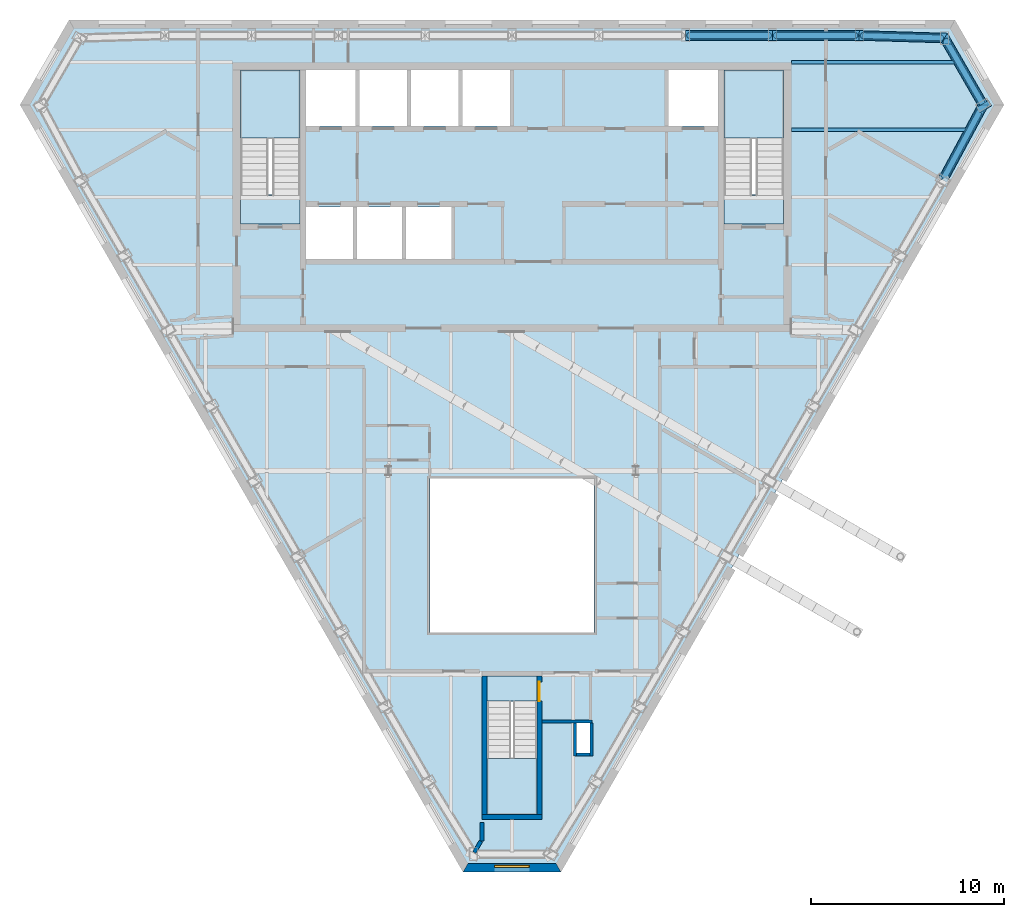
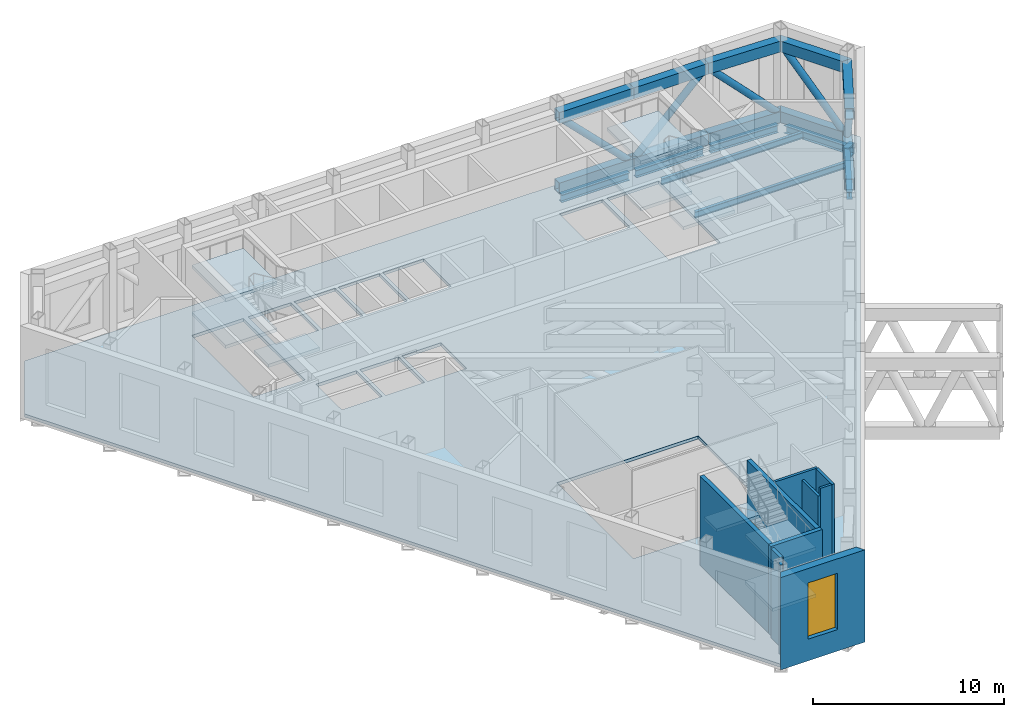
# One storey, part 6 of 14: 15 members, 10 slabs, 10 walls, 8 beams, 1 door, 1 shading device, 2 openings, 3 elements without a shape of their own.
"""IFC4 building model written with IfcOpenShell, lengths in metres."""

import ifcopenshell
import ifcopenshell.guid

model = None  # the IFC model being written
_history = None  # IfcOwnerHistory: only IFC2X3 demands one
_inside = {}  # id of a spatial element -> (the spatial element, [elements in it])
_under = {}  # id of a project, library or spatial element -> (it, [spatial elements below it])
_declared = {}  # id of a project -> (the project, [libraries it declares])
_typed = {}  # id of a type object -> (the type object, [elements of that type])
_made_of = {}  # id of a material, layer set ... -> (it, [elements and type objects made of it])


def new_model(schema):
    """Start an empty IFC model of exactly this schema.

    Asked for "IFC4X3", IfcOpenShell would pick the latest addendum, in which some entities
    have other attributes; the version numbers below select the first issue.
    IFC2X3 requires an IfcOwnerHistory on every rooted entity: one is made here for all.
    """
    global model, _history
    if schema == "IFC4X3":
        model = ifcopenshell.file(schema_version=(4, 3, 0, 0))
    else:
        model = ifcopenshell.file(schema=schema)
    _inside.clear()
    _under.clear()
    _declared.clear()
    _typed.clear()
    _made_of.clear()
    _history = None
    if model.schema == "IFC2X3":
        org = make("IfcOrganization", Name="unknown")
        user = make(
            "IfcPersonAndOrganization",
            ThePerson=make("IfcPerson", FamilyName="unknown"),
            TheOrganization=org,
        )
        app = make(
            "IfcApplication",
            ApplicationDeveloper=org,
            Version="unknown",
            ApplicationFullName="unknown",
            ApplicationIdentifier="unknown",
        )
        _history = make(
            "IfcOwnerHistory",
            OwningUser=user,
            OwningApplication=app,
            ChangeAction="ADDED",
            CreationDate=0,
        )
    return model


def make(cls, **values):
    """One entity of the class cls with the attributes given. An attribute that is None is left unset."""
    return model.create_entity(
        cls, **{name: value for name, value in values.items() if value is not None}
    )


def rooted(cls, **values):
    """An entity with a GlobalId (a new one), such as an element, a storey or a relation."""
    return make(cls, GlobalId=ifcopenshell.guid.new(), OwnerHistory=_history, **values)


def si_unit(unit_type, name, prefix=None):
    """IfcSIUnit, for example si_unit("LENGTHUNIT", "METRE", prefix="MILLI")."""
    return make("IfcSIUnit", UnitType=unit_type, Prefix=prefix, Name=name)


def assignment(units):
    """IfcUnitAssignment: the units of a project."""
    return None if units is None else make("IfcUnitAssignment", Units=units)


def point(xyz):
    """IfcCartesianPoint."""
    return None if xyz is None else make("IfcCartesianPoint", Coordinates=xyz)


def direction(xyz):
    """IfcDirection."""
    return None if xyz is None else make("IfcDirection", DirectionRatios=xyz)


def frame(location, z_axis=None, x_axis=None):
    """IfcAxis2Placement3D, a coordinate frame: its origin and axes. An axis left out is left unset."""
    return make(
        "IfcAxis2Placement3D",
        Location=point(location),
        Axis=direction(z_axis),
        RefDirection=direction(x_axis),
    )


def frame_2d(location, x_axis=None):
    """IfcAxis2Placement2D, a coordinate frame in the plane: its origin and x axis."""
    return make(
        "IfcAxis2Placement2D", Location=point(location), RefDirection=direction(x_axis)
    )


def origin():
    """The frame at (0, 0, 0) with its axes left unset."""
    return frame((0.0, 0.0, 0.0))


def origin_2d():
    """The frame at (0, 0) in the plane with its x axis left unset."""
    return frame_2d((0.0, 0.0))


def place(relative_to, where):
    """IfcLocalPlacement: puts the frame where relative to a parent placement (None: the world)."""
    return make(
        "IfcLocalPlacement", PlacementRelTo=relative_to, RelativePlacement=where
    )


def context(
    kind, dimensions, precision=None, world=None, true_north=None, identifier=None
):
    """IfcGeometricRepresentationContext, for example the 3D "Model" context."""
    return make(
        "IfcGeometricRepresentationContext",
        ContextIdentifier=identifier,
        ContextType=kind,
        CoordinateSpaceDimension=dimensions,
        Precision=precision,
        WorldCoordinateSystem=world,
        TrueNorth=true_north,
    )


def subcontext(parent, identifier, kind, view, scale=None):
    """IfcGeometricRepresentationSubContext, for example "Body" below "Model"."""
    return make(
        "IfcGeometricRepresentationSubContext",
        ContextIdentifier=identifier,
        ContextType=kind,
        ParentContext=parent,
        TargetScale=scale,
        TargetView=view,
    )


def project(units=None, contexts=None):
    """IfcProject with its units and contexts."""
    return rooted(
        "IfcProject",
        Name="project",
        RepresentationContexts=contexts,
        UnitsInContext=assignment(units),
    )


def spatial(cls, under=None, at=None, **own):
    """A site, building, storey or space (cls), placed at a placement, below another one or the project."""
    s = rooted(cls, ObjectPlacement=at, **own)
    if under is not None:
        _under.setdefault(under.id(), (under, []))[1].append(s)
    return s


def polyline(points):
    """IfcPolyline through the points."""
    return make("IfcPolyline", Points=[point(p) for p in points])


def profile(cls, at=None, kind="AREA", **sizes):
    """A parametric profile (cls). Its sizes go by their IFC names, for example OverallWidth=200.0."""
    return make(cls, ProfileType=kind, Position=at, **sizes)


def rectangle(**sizes):
    """IfcRectangleProfileDef."""
    return profile("IfcRectangleProfileDef", **sizes)


def hollow_rectangle(**sizes):
    """IfcRectangleHollowProfileDef."""
    return profile("IfcRectangleHollowProfileDef", **sizes)


def hollow_circle(**sizes):
    """IfcCircleHollowProfileDef."""
    return profile("IfcCircleHollowProfileDef", **sizes)


def i_section(**sizes):
    """IfcIShapeProfileDef."""
    return profile("IfcIShapeProfileDef", **sizes)


def outline(outer, holes=None, kind="AREA"):
    """IfcArbitraryClosedProfileDef: a profile drawn as a closed curve; with holes, ...WithVoids."""
    if holes is None:
        return make("IfcArbitraryClosedProfileDef", ProfileType=kind, OuterCurve=outer)
    return make(
        "IfcArbitraryProfileDefWithVoids",
        ProfileType=kind,
        OuterCurve=outer,
        InnerCurves=holes,
    )


def extrude(swept, where, along, depth):
    """IfcExtrudedAreaSolid: the profile swept, set in the frame where, extruded along a direction by depth."""
    return make(
        "IfcExtrudedAreaSolid",
        SweptArea=swept,
        Position=where,
        ExtrudedDirection=direction(along),
        Depth=depth,
    )


def clip(a, b, op="DIFFERENCE"):
    """IfcBooleanClippingResult: the solid a cut by the half space b."""
    return make(
        "IfcBooleanClippingResult", Operator=op, FirstOperand=a, SecondOperand=b
    )


def halfspace(plane, agree):
    """IfcHalfSpaceSolid: all space on one side of the plane z = 0 of the frame plane."""
    return make(
        "IfcHalfSpaceSolid",
        BaseSurface=make("IfcPlane", Position=plane),
        AgreementFlag=agree,
    )


def shape(context_of_items, identifier, shape_type, items):
    """IfcShapeRepresentation: the items that make up one representation, for example the "Body"."""
    return make(
        "IfcShapeRepresentation",
        ContextOfItems=context_of_items,
        RepresentationIdentifier=identifier,
        RepresentationType=shape_type,
        Items=items,
    )


def material(Name=None, Category=None):
    """IfcMaterial."""
    return make("IfcMaterial", Name=Name, Category=Category)


def layer(
    of_material, thickness, ventilated=None, Name=None, Category=None, Priority=None
):
    """IfcMaterialLayer: one layer of a wall or slab, of a material (None: an air gap)."""
    return make(
        "IfcMaterialLayer",
        Material=of_material,
        LayerThickness=thickness,
        IsVentilated=ventilated,
        Name=Name,
        Category=Category,
        Priority=Priority,
    )


def layer_set(layers, Name=None):
    """IfcMaterialLayerSet."""
    return make("IfcMaterialLayerSet", MaterialLayers=layers, LayerSetName=Name)


def material_profile(
    of_material, cross_section, Name=None, Category=None, Priority=None
):
    """IfcMaterialProfile: a cross section and its material."""
    return make(
        "IfcMaterialProfile",
        Name=Name,
        Material=of_material,
        Profile=cross_section,
        Priority=Priority,
        Category=Category,
    )


def profile_set(profiles, Name=None, composite=None):
    """IfcMaterialProfileSet."""
    return make(
        "IfcMaterialProfileSet",
        Name=Name,
        MaterialProfiles=profiles,
        CompositeProfile=composite,
    )


def made_of(thing, what):
    """Note that an element or type object is made of a material, layer set ...; save() writes the relation."""
    if what is not None:
        _made_of.setdefault(what.id(), (what, []))[1].append(thing)
    return thing


def type_object(cls, material=None, **own):
    """A type object (cls), such as IfcWallType, which elements share."""
    return made_of(rooted(cls, **own), material)


def element(
    cls,
    number,
    at=None,
    inside=None,
    cuts=None,
    type_object=None,
    material=None,
    context=None,
    identifier="Body",
    shape_type=None,
    held_by="IfcProductDefinitionShape",
    body=None,
    shapes=None,
    **own,
):
    """One element of the class cls, such as IfcWall. Its Tag is "e" and its number.

    at: its placement. inside: the storey or other place that contains it. cuts: it is an
    opening in that element (IfcRelVoidsElement). A single representation is given by context,
    identifier, shape_type and body (its items); several are given by shapes. held_by: the class
    of the entity that holds the representations. save() writes the other relations.
    """
    e = rooted(cls, Tag="e%d" % number, ObjectPlacement=at, **own)
    if body is not None:
        shapes = [shape(context, identifier, shape_type, body)]
    if shapes is not None:
        e.Representation = make(held_by, Representations=shapes)
    if inside is not None:
        _inside.setdefault(inside.id(), (inside, []))[1].append(e)
    if cuts is not None:
        rooted(
            "IfcRelVoidsElement", RelatingBuildingElement=cuts, RelatedOpeningElement=e
        )
    if type_object is not None:
        _typed.setdefault(type_object.id(), (type_object, []))[1].append(e)
    return made_of(e, material)


def fill(opening, filler):
    """IfcRelFillsElement: the door or window that sits in an opening."""
    return rooted(
        "IfcRelFillsElement",
        RelatingOpeningElement=opening,
        RelatedBuildingElement=filler,
    )


def aggregate(whole, parts):
    """IfcRelAggregates: a whole, such as a stair, and the parts it consists of."""
    return rooted("IfcRelAggregates", RelatingObject=whole, RelatedObjects=parts)


def save(model, path):
    """Write the relations noted so far, then the file.

    IfcRelAggregates (storeys below a building ...), IfcRelContainedInSpatialStructure (elements
    in a storey), IfcRelDefinesByType, IfcRelAssociatesMaterial and IfcRelDeclares: one each for
    every whole, place, type object, material and project.
    """
    for whole, parts in _under.values():
        aggregate(whole, parts)
    for where, things in _inside.values():
        rooted(
            "IfcRelContainedInSpatialStructure",
            RelatedElements=things,
            RelatingStructure=where,
        )
    for kind, things in _typed.values():
        rooted("IfcRelDefinesByType", RelatedObjects=things, RelatingType=kind)
    for what, things in _made_of.values():
        rooted("IfcRelAssociatesMaterial", RelatedObjects=things, RelatingMaterial=what)
    for by, libraries in _declared.values():
        rooted("IfcRelDeclares", RelatingContext=by, RelatedDefinitions=libraries)
    model.write(path)


model = new_model("IFC4")

# Units and contexts
model_context = context("Model", 3, precision=1e-05, world=origin(), true_north=direction((0.0, 1.0)))
body_context = subcontext(model_context, "Body", "Model", "MODEL_VIEW")
ifc_project = project(units=[si_unit("LENGTHUNIT", "METRE"), si_unit("AREAUNIT", "SQUARE_METRE"), si_unit("VOLUMEUNIT", "CUBIC_METRE"), si_unit("PLANEANGLEUNIT", "RADIAN"), si_unit("MASSUNIT", "GRAM", prefix="KILO")], contexts=[model_context])

# Site, building, storey
site_placement = place(None, origin())
site = spatial("IfcSite", under=ifc_project, at=site_placement, CompositionType="ELEMENT")
building_placement = place(site_placement, origin())
building = spatial("IfcBuilding", under=site, at=building_placement, Name="Njiva Tower", CompositionType="ELEMENT")
storey_placement = place(building_placement, frame((0.0, 0.0, 292.2)))
storey = spatial("IfcBuildingStorey", under=building, at=storey_placement, Name="L67", CompositionType="ELEMENT", Elevation=292.2)

# Beams
ifc_material_1 = material(Name="Steel S355 J2", Category="steel")
ifc_material_profile_1 = material_profile(ifc_material_1, hollow_rectangle(XDim=0.7, YDim=0.7, WallThickness=0.08, at=origin_2d()), Name="BOX 700x700x80")
ifc_profile_set_1 = profile_set([ifc_material_profile_1], Name="Steel S355 J2")
beam_type_1 = type_object("IfcBeamType", Name="B19 Column jog beam BOX 700x700x80", PredefinedType="BEAM", material=ifc_profile_set_1)
beam_1_placement = place(storey_placement, frame((24.599, 15.568, -0.55), z_axis=(-0.519059238985, 0.85473826779, 0.0), x_axis=(-0.85473826779, -0.519059238985, 0.0)))
element("IfcBeam", 1, at=beam_1_placement, inside=storey, type_object=beam_type_1, Name="Column jog beam T5-B036", PredefinedType="BEAM", context=body_context, shape_type="SweptSolid", body=[
    extrude(hollow_rectangle(XDim=0.7, YDim=0.7, WallThickness=0.08, at=origin_2d()), origin(), (0.0, 0.0, 1.0), 0.3217),
])
ifc_material_profile_2 = material_profile(ifc_material_1, i_section(OverallWidth=0.3, OverallDepth=0.49, WebThickness=0.012, FlangeThickness=0.023, at=origin_2d()), Name="HEA 500")
ifc_profile_set_2 = profile_set([ifc_material_profile_2], Name="Steel S355 J2")
beam_type_2 = type_object("IfcBeamType", Name="B48 Short-span spandrel beam HEA 500", PredefinedType="SPANDREL", material=ifc_profile_set_2)
beam_2_placement = place(storey_placement, frame((22.257, 19.273, -0.445), z_axis=(-0.999547991975, 0.030063461852, 0.0), x_axis=(-0.030063461852, -0.999547991975, 0.0)))
element("IfcBeam", 2, at=beam_2_placement, inside=storey, type_object=beam_type_2, Name="Short-span spandrel beam T5-B090", PredefinedType="SPANDREL", context=body_context, shape_type="SweptSolid", body=[
    extrude(i_section(OverallWidth=0.3, OverallDepth=0.49, WebThickness=0.012, FlangeThickness=0.023, at=origin_2d()), origin(), (0.0, 0.0, 1.0), 4.0248),
])
beam_3_placement = place(storey_placement, frame((17.83, 19.4, -0.445), z_axis=(-1.0, 0.0, 0.0), x_axis=(0.0, -1.0, 0.0)))
element("IfcBeam", 3, at=beam_3_placement, inside=storey, type_object=beam_type_2, Name="Short-span spandrel beam T5-B087", PredefinedType="SPANDREL", context=body_context, shape_type="SweptSolid", body=[
    extrude(i_section(OverallWidth=0.3, OverallDepth=0.49, WebThickness=0.012, FlangeThickness=0.023, at=origin_2d()), origin(), (0.0, 0.0, 1.0), 4.107),
])
beam_4_placement = place(storey_placement, frame((13.323, 19.4, -0.445), z_axis=(-1.0, 0.0, 0.0), x_axis=(0.0, -1.0, 0.0)))
element("IfcBeam", 4, at=beam_4_placement, inside=storey, type_object=beam_type_2, Name="Short-span spandrel beam T5-B084", PredefinedType="SPANDREL", context=body_context, shape_type="SweptSolid", body=[
    extrude(i_section(OverallWidth=0.3, OverallDepth=0.49, WebThickness=0.012, FlangeThickness=0.023, at=origin_2d()), origin(), (0.0, 0.0, 1.0), 4.108),
])
beam_5_placement = place(storey_placement, frame((22.413, 11.982, -0.445), z_axis=(0.473755074055, 0.880656646944, 0.0), x_axis=(-0.880656646944, 0.473755074055, 0.0)))
element("IfcBeam", 5, at=beam_5_placement, inside=storey, type_object=beam_type_2, Name="Short-span spandrel beam T5-B092", PredefinedType="SPANDREL", context=body_context, shape_type="Clipping", body=[
    clip(extrude(i_section(OverallWidth=0.3, OverallDepth=0.49, WebThickness=0.012, FlangeThickness=0.023, at=origin_2d()), origin(), (0.0, 0.0, 1.0), 4.0918), halfspace(frame((-0.0262, 0.0, 3.963), z_axis=(-0.525795446027, 0.0, 0.850611044448), x_axis=(0.0, 1.0, 0.0)), False)),
])
beam_6_placement = place(storey_placement, frame((24.463, 15.792, -0.445), z_axis=(-0.500186718796, 0.865917574796, 0.0), x_axis=(-0.865917574796, -0.500186718796, 0.0)))
element("IfcBeam", 6, at=beam_6_placement, inside=storey, type_object=beam_type_2, Name="Short-span spandrel beam T5-B093", PredefinedType="SPANDREL", context=body_context, shape_type="Clipping", body=[
    clip(extrude(i_section(OverallWidth=0.3, OverallDepth=0.49, WebThickness=0.012, FlangeThickness=0.023, at=origin_2d()), origin(), (0.0, 0.0, 1.0), 3.7736), halfspace(frame((-0.0254, 0.0, 3.652), z_axis=(-0.500186718796, 0.0, 0.865917574796), x_axis=(0.0, 1.0, 0.0)), False)),
])
ifc_material_profile_3 = material_profile(ifc_material_1, i_section(OverallWidth=0.18, OverallDepth=0.4, WebThickness=0.0086, FlangeThickness=0.0135, at=origin_2d()), Name="IPE 400")
ifc_profile_set_3 = profile_set([ifc_material_profile_3], Name="Steel S355 J2")
beam_type_3 = type_object("IfcBeamType", Name="B51 Floor beam to the core IPE 400", PredefinedType="BEAM", material=ifc_profile_set_3)
beam_7_placement = place(storey_placement, frame((14.5, 14.5, -0.4), z_axis=(1.0, 0.0, 0.0), x_axis=(0.0, 1.0, 0.0)))
element("IfcBeam", 7, at=beam_7_placement, inside=storey, type_object=beam_type_3, Name="Floor beam to the core T5-B007", PredefinedType="BEAM", context=body_context, shape_type="Clipping", body=[
    clip(extrude(i_section(OverallWidth=0.18, OverallDepth=0.4, WebThickness=0.0086, FlangeThickness=0.0135, at=origin_2d()), origin(), (0.0, 0.0, 1.0), 9.222), halfspace(frame((-0.0237, 0.0, 9.1412), z_axis=(-0.47376166762, 0.0, 0.88065309986), x_axis=(0.0, 1.0, 0.0)), False)),
])
beam_8_placement = place(storey_placement, frame((14.5, 18.0, -0.4), z_axis=(1.0, 0.0, 0.0), x_axis=(0.0, 1.0, 0.0)))
element("IfcBeam", 8, at=beam_8_placement, inside=storey, type_object=beam_type_3, Name="Floor beam to the core T5-B008", PredefinedType="BEAM", context=body_context, shape_type="Clipping", body=[
    clip(extrude(i_section(OverallWidth=0.18, OverallDepth=0.4, WebThickness=0.0086, FlangeThickness=0.0135, at=origin_2d()), origin(), (0.0, 0.0, 1.0), 8.644), halfspace(frame((0.025, 0.0, 8.5578), z_axis=(0.499998009787, 0.0, 0.866026552831), x_axis=(0.0, 1.0, 0.0)), False)),
])

# Members
ifc_material_profile_4 = material_profile(ifc_material_1, hollow_rectangle(XDim=0.5, YDim=0.7, WallThickness=0.04, at=origin_2d()), Name="BOX 700x500x40")
ifc_profile_set_4 = profile_set([ifc_material_profile_4], Name="Steel S355 J2")
member_type_1 = type_object("IfcMemberType", Name="TC2 Belt truss chord BOX 700x500x40", PredefinedType="CHORD", material=ifc_profile_set_4)
member_1_placement = place(storey_placement, frame((22.6249, 19.2619, 0.35), z_axis=(-0.999549626981, 0.030009052006, 0.0), x_axis=(-0.030009052006, -0.999549626981, 0.0)))
element("IfcMember", 9, at=member_1_placement, inside=storey, type_object=member_type_1, Name="Belt truss chord T5-TR001", PredefinedType="CHORD", context=body_context, shape_type="Clipping", body=[
    clip(clip(extrude(hollow_rectangle(XDim=0.5, YDim=0.7, WallThickness=0.04, at=origin_2d()), origin(), (0.0, 0.0, 1.0), 4.635), halfspace(frame((0.0, -292.55, 0.169), z_axis=(0.486880073495, 0.0, -0.873468828313), x_axis=(0.0, -1.0, 0.0)), False)), halfspace(frame((0.0, -292.55, 4.601), z_axis=(0.015002471262, 0.0, 0.999887456595), x_axis=(0.0, 1.0, 0.0)), False)),
])
member_2_placement = place(storey_placement, frame((22.6249, 19.2619, 4.86), z_axis=(-0.999549626981, 0.030009052006, 0.0), x_axis=(-0.030009052006, -0.999549626981, 0.0)))
element("IfcMember", 10, at=member_2_placement, inside=storey, type_object=member_type_1, Name="Belt truss chord T5-TR002", PredefinedType="CHORD", context=body_context, shape_type="Clipping", body=[
    clip(clip(extrude(hollow_rectangle(XDim=0.5, YDim=0.7, WallThickness=0.04, at=origin_2d()), origin(), (0.0, 0.0, 1.0), 4.635), halfspace(frame((0.0, -297.06, 0.169), z_axis=(0.486880073495, 0.0, -0.873468828313), x_axis=(0.0, -1.0, 0.0)), False)), halfspace(frame((0.0, -297.06, 4.601), z_axis=(0.015002471262, 0.0, 0.999887456595), x_axis=(0.0, 1.0, 0.0)), False)),
])
member_3_placement = place(storey_placement, frame((18.06, 19.4, 0.35), z_axis=(-1.0, 0.0, 0.0), x_axis=(0.0, -1.0, 0.0)))
element("IfcMember", 11, at=member_3_placement, inside=storey, type_object=member_type_1, Name="Belt truss chord T5-TR004", PredefinedType="CHORD", context=body_context, shape_type="Clipping", body=[
    clip(extrude(hollow_rectangle(XDim=0.5, YDim=0.7, WallThickness=0.04, at=origin_2d()), origin(), (0.0, 0.0, 1.0), 4.54), halfspace(frame((0.0, -292.55, 0.034), z_axis=(0.015009960132, 0.0, -0.999887344203), x_axis=(0.0, -1.0, 0.0)), False)),
])
member_4_placement = place(storey_placement, frame((18.06, 19.4, 4.86), z_axis=(-1.0, 0.0, 0.0), x_axis=(0.0, -1.0, 0.0)))
element("IfcMember", 12, at=member_4_placement, inside=storey, type_object=member_type_1, Name="Belt truss chord T5-TR005", PredefinedType="CHORD", context=body_context, shape_type="Clipping", body=[
    clip(extrude(hollow_rectangle(XDim=0.5, YDim=0.7, WallThickness=0.04, at=origin_2d()), origin(), (0.0, 0.0, 1.0), 4.54), halfspace(frame((0.0, -297.06, 0.034), z_axis=(0.015009960132, 0.0, -0.999887344203), x_axis=(0.0, -1.0, 0.0)), False)),
])
for number, where, z_axis, x_axis, name in (
    (13, (13.52, 19.4, 0.35), (-1.0, 0.0, 0.0), (0.0, -1.0, 0.0), "Belt truss chord T5-TR007"),
    (14, (13.52, 19.4, 4.86), (-1.0, 0.0, 0.0), (0.0, -1.0, 0.0), "Belt truss chord T5-TR008"),
):
    element("IfcMember", number, at=place(storey_placement, frame(where, z_axis=z_axis, x_axis=x_axis)), inside=storey, type_object=member_type_1, Name=name, PredefinedType="CHORD", context=body_context, shape_type="SweptSolid", body=[
        extrude(hollow_rectangle(XDim=0.5, YDim=0.7, WallThickness=0.04, at=origin_2d()), origin(), (0.0, 0.0, 1.0), 4.507),
    ])
member_5_placement = place(storey_placement, frame((22.3469, 11.8591, 0.35), z_axis=(0.473817247054, 0.880623197738, 0.0), x_axis=(-0.880623197738, 0.473817247054, 0.0)))
element("IfcMember", 15, at=member_5_placement, inside=storey, type_object=member_type_1, Name="Belt truss chord T5-TR094", PredefinedType="CHORD", context=body_context, shape_type="Clipping", body=[
    clip(clip(extrude(hollow_rectangle(XDim=0.5, YDim=0.7, WallThickness=0.04, at=origin_2d()), origin(), (0.0, 0.0, 1.0), 4.6351), halfspace(frame((0.0, -292.55, 0.034), z_axis=(0.014950930427, 0.0, -0.999888228593), x_axis=(0.0, -1.0, 0.0)), False)), halfspace(frame((0.0, -292.55, 4.4661), z_axis=(0.487025652807, 0.0, 0.873387665077), x_axis=(0.0, 1.0, 0.0)), False)),
])
member_6_placement = place(storey_placement, frame((22.3469, 11.8591, 4.86), z_axis=(0.473817247054, 0.880623197738, 0.0), x_axis=(-0.880623197738, 0.473817247054, 0.0)))
element("IfcMember", 16, at=member_6_placement, inside=storey, type_object=member_type_1, Name="Belt truss chord T5-TR095", PredefinedType="CHORD", context=body_context, shape_type="Clipping", body=[
    clip(clip(extrude(hollow_rectangle(XDim=0.5, YDim=0.7, WallThickness=0.04, at=origin_2d()), origin(), (0.0, 0.0, 1.0), 4.6351), halfspace(frame((0.0, -297.06, 0.034), z_axis=(0.014950930427, 0.0, -0.999888228593), x_axis=(0.0, -1.0, 0.0)), False)), halfspace(frame((0.0, -297.06, 4.4661), z_axis=(0.487025652807, 0.0, 0.873387665077), x_axis=(0.0, 1.0, 0.0)), False)),
])
member_7_placement = place(storey_placement, frame((24.5475, 15.6457, 0.35), z_axis=(-0.500132281504, 0.865949017551, 0.0), x_axis=(-0.865949017551, -0.500132281504, 0.0)))
element("IfcMember", 17, at=member_7_placement, inside=storey, type_object=member_type_1, Name="Belt truss chord T5-TR097", PredefinedType="CHORD", context=body_context, shape_type="Clipping", body=[
    clip(clip(extrude(hollow_rectangle(XDim=0.5, YDim=0.7, WallThickness=0.04, at=origin_2d()), origin(), (0.0, 0.0, 1.0), 4.3509), halfspace(frame((0.0, -292.55, 0.169), z_axis=(0.487034415011, 0.0, -0.873382778966), x_axis=(0.0, -1.0, 0.0)), False)), halfspace(frame((0.0, -292.55, 4.1819), z_axis=(0.486882377495, 0.0, 0.873467544036), x_axis=(0.0, 1.0, 0.0)), False)),
])
member_8_placement = place(storey_placement, frame((24.5475, 15.6457, 4.86), z_axis=(-0.500132281504, 0.865949017551, 0.0), x_axis=(-0.865949017551, -0.500132281504, 0.0)))
element("IfcMember", 18, at=member_8_placement, inside=storey, type_object=member_type_1, Name="Belt truss chord T5-TR098", PredefinedType="CHORD", context=body_context, shape_type="Clipping", body=[
    clip(clip(extrude(hollow_rectangle(XDim=0.5, YDim=0.7, WallThickness=0.04, at=origin_2d()), origin(), (0.0, 0.0, 1.0), 4.3509), halfspace(frame((0.0, -297.06, 0.169), z_axis=(0.487034415011, 0.0, -0.873382778966), x_axis=(0.0, -1.0, 0.0)), False)), halfspace(frame((0.0, -297.06, 4.1819), z_axis=(0.486882377495, 0.0, 0.873467544036), x_axis=(0.0, 1.0, 0.0)), False)),
])
ifc_material_2 = material(Name="Steel S355 J2H", Category="steel")
ifc_material_profile_5 = material_profile(ifc_material_2, hollow_circle(Radius=0.2032, WallThickness=0.016, at=origin_2d()), Name="CHS 406.4x16")
ifc_profile_set_5 = profile_set([ifc_material_profile_5], Name="Steel S355 J2H")
member_type_2 = type_object("IfcMemberType", Name="TD2 Belt truss diagonal CHS 406.4x16", PredefinedType="BRACE", material=ifc_profile_set_5)
member_9_placement = place(storey_placement, frame((22.6178, 19.2621, 0.1852), z_axis=(-0.700596118376, 0.021033698362, 0.713247967014), x_axis=(-0.030009052006, -0.999549626981, 0.0)))
element("IfcMember", 19, at=member_9_placement, inside=storey, type_object=member_type_2, Name="Belt truss diagonal T5-TR003", PredefinedType="BRACE", context=body_context, shape_type="Clipping", body=[
    clip(clip(extrude(hollow_circle(Radius=0.2032, WallThickness=0.016, at=origin_2d()), origin(), (0.0, 0.0, 1.0), 6.7852), halfspace(frame((19.9322, -15.3588, 15.8008), z_axis=(0.0, -0.700911790135, -0.713247967014), x_axis=(0.0, -0.713247967014, 0.700911790135)), False)), halfspace(frame((19.9322, -12.6743, 18.5326), z_axis=(0.0, 0.700911790135, 0.713247967014), x_axis=(0.0, 0.713247967014, -0.700911790135)), False)),
])
member_10_placement = place(storey_placement, frame((18.1921, 19.4, 5.0262), z_axis=(-0.706792999657, 0.0, -0.707420423536), x_axis=(0.0, -1.0, 0.0)))
element("IfcMember", 20, at=member_10_placement, inside=storey, type_object=member_type_2, Name="Belt truss diagonal T5-TR006", PredefinedType="BRACE", context=body_context, shape_type="Clipping", body=[
    clip(clip(extrude(hollow_circle(Radius=0.2032, WallThickness=0.016, at=origin_2d()), origin(), (0.0, 0.0, 1.0), 6.8453), halfspace(frame((19.4, 12.5117, 13.2162), z_axis=(0.0, 0.706792999657, -0.707420423536), x_axis=(0.0, -0.707420423536, -0.706792999657)), False)), halfspace(frame((19.4, 9.8046, 15.9256), z_axis=(0.0, -0.706792999657, 0.707420423536), x_axis=(0.0, 0.707420423536, 0.706792999657)), False)),
])
member_11_placement = place(storey_placement, frame((13.6861, 19.4, 0.1838), z_axis=(-0.706871484179, 0.0, 0.707341999922), x_axis=(0.0, -1.0, 0.0)))
element("IfcMember", 21, at=member_11_placement, inside=storey, type_object=member_type_2, Name="Belt truss diagonal T5-TR009", PredefinedType="BRACE", context=body_context, shape_type="Clipping", body=[
    clip(clip(extrude(hollow_circle(Radius=0.2032, WallThickness=0.016, at=origin_2d()), origin(), (0.0, 0.0, 1.0), 6.846), halfspace(frame((19.4, -9.3229, 10.0324), z_axis=(0.0, -0.706871484179, -0.707341999922), x_axis=(0.0, -0.707341999922, 0.706871484179)), False)), halfspace(frame((19.4, -6.6156, 12.7415), z_axis=(0.0, 0.706871484179, 0.707341999922), x_axis=(0.0, 0.707341999922, -0.706871484179)), False)),
])
member_12_placement = place(storey_placement, frame((22.2863, 11.7464, 5.0248), z_axis=(0.33210762121, 0.617245735992, -0.71324065317), x_axis=(-0.880623197738, 0.473817247054, 0.0)))
element("IfcMember", 22, at=member_12_placement, inside=storey, type_object=member_type_2, Name="Belt truss diagonal T5-TR096", PredefinedType="BRACE", context=body_context, shape_type="Clipping", body=[
    clip(clip(extrude(hollow_circle(Radius=0.2032, WallThickness=0.016, at=origin_2d()), origin(), (0.0, 0.0, 1.0), 6.7853), halfspace(frame((14.0602, -15.2632, -14.2919), z_axis=(0.0, 0.700919232626, -0.71324065317), x_axis=(0.0, -0.71324065317, -0.700919232626)), False)), halfspace(frame((14.0602, -17.9477, -11.5601), z_axis=(0.0, -0.700919232626, 0.71324065317), x_axis=(0.0, 0.71324065317, 0.700919232626)), False)),
])
member_13_placement = place(storey_placement, frame((24.5335, 15.67, 0.1916), z_axis=(-0.33245716726, 0.575629624429, 0.747076145662), x_axis=(-0.865949017551, -0.500132281504, 0.0)))
element("IfcMember", 23, at=member_13_placement, inside=storey, type_object=member_type_2, Name="Belt truss diagonal T5-TR099", PredefinedType="BRACE", context=body_context, shape_type="Clipping", body=[
    clip(clip(extrude(hollow_circle(Radius=0.2032, WallThickness=0.016, at=origin_2d()), origin(), (0.0, 0.0, 1.0), 6.4609), halfspace(frame((29.0818, 1.302, -0.4914), z_axis=(0.0, -0.664738469312, -0.747076145662), x_axis=(0.0, -0.747076145662, 0.664738469312)), False)), halfspace(frame((29.0818, 3.848, 2.3699), z_axis=(0.0, 0.664738469312, 0.747076145662), x_axis=(0.0, 0.747076145662, -0.664738469312)), False)),
])

# Stair, slabs
ifc_material_3 = material(Name="Concrete C40/50", Category="concrete")
stair_type_1 = type_object("IfcStairType", Name="ST3 Exit stair 1450", PredefinedType="HALF_TURN_STAIR", material=ifc_material_3)
stair_1_placement = place(storey_placement, origin())
stair_1 = element("IfcStair", 24, at=stair_1_placement, inside=storey, type_object=stair_type_1, Name="Stair A", PredefinedType="DOUBLE_RETURN_STAIR")
ifc_layer_1 = layer(ifc_material_3, 0.2)
ifc_layer_set_1 = layer_set([ifc_layer_1], Name="Concrete C40/50")
slab_type_1 = type_object("IfcSlabType", Name="FL9 Stair landing 200", PredefinedType="LANDING", material=ifc_layer_set_1)
slab_1_placement = place(storey_placement, frame((0.0, 0.0, 1.3)))
slab_1 = element("IfcSlab", 25, at=slab_1_placement, type_object=slab_type_1, Name="ST-A landing 1", PredefinedType="LANDING", context=body_context, shape_type="SweptSolid", body=[
    extrude(outline(polyline([(-14.106, 14.07), (-10.994, 14.07), (-10.994, 17.6), (-14.106, 17.6), (-14.106, 14.07)])), origin(), (0.0, 0.0, 1.0), 0.2),
])
slab_2_placement = place(storey_placement, frame((0.0, 0.0, 2.8)))
slab_2 = element("IfcSlab", 26, at=slab_2_placement, type_object=slab_type_1, Name="ST-A landing 2", PredefinedType="LANDING", context=body_context, shape_type="SweptSolid", body=[
    extrude(outline(polyline([(-14.106, 9.6), (-10.994, 9.6), (-10.994, 11.1), (-14.106, 11.1), (-14.106, 9.6)])), origin(), (0.0, 0.0, 1.0), 0.2),
])
slab_3_placement = place(storey_placement, frame((0.0, 0.0, 4.3)))
slab_3 = element("IfcSlab", 27, at=slab_3_placement, type_object=slab_type_1, Name="ST-A landing 3", PredefinedType="LANDING", context=body_context, shape_type="SweptSolid", body=[
    extrude(outline(polyline([(-14.106, 14.07), (-10.994, 14.07), (-10.994, 17.6), (-14.106, 17.6), (-14.106, 14.07)])), origin(), (0.0, 0.0, 1.0), 0.2),
])
aggregate(stair_1, [slab_1, slab_2, slab_3])

stair_2_placement = place(storey_placement, origin())
stair_2 = element("IfcStair", 28, at=stair_2_placement, inside=storey, type_object=stair_type_1, Name="Stair B", PredefinedType="DOUBLE_RETURN_STAIR")
slab_4_placement = place(storey_placement, frame((0.0, 0.0, 1.3)))
slab_4 = element("IfcSlab", 29, at=slab_4_placement, type_object=slab_type_1, Name="ST-B landing 1", PredefinedType="LANDING", context=body_context, shape_type="SweptSolid", body=[
    extrude(outline(polyline([(10.994, 14.07), (14.106, 14.07), (14.106, 17.6), (10.994, 17.6), (10.994, 14.07)])), origin(), (0.0, 0.0, 1.0), 0.2),
])
slab_5_placement = place(storey_placement, frame((0.0, 0.0, 2.8)))
slab_5 = element("IfcSlab", 30, at=slab_5_placement, type_object=slab_type_1, Name="ST-B landing 2", PredefinedType="LANDING", context=body_context, shape_type="SweptSolid", body=[
    extrude(outline(polyline([(10.994, 9.6), (14.106, 9.6), (14.106, 11.1), (10.994, 11.1), (10.994, 9.6)])), origin(), (0.0, 0.0, 1.0), 0.2),
])
slab_6_placement = place(storey_placement, frame((0.0, 0.0, 4.3)))
slab_6 = element("IfcSlab", 31, at=slab_6_placement, type_object=slab_type_1, Name="ST-B landing 3", PredefinedType="LANDING", context=body_context, shape_type="SweptSolid", body=[
    extrude(outline(polyline([(10.994, 14.07), (14.106, 14.07), (14.106, 17.6), (10.994, 17.6), (10.994, 14.07)])), origin(), (0.0, 0.0, 1.0), 0.2),
])
aggregate(stair_2, [slab_4, slab_5, slab_6])

stair_type_2 = type_object("IfcStairType", Name="ST1 Exit stair 1250", PredefinedType="HALF_TURN_STAIR", material=ifc_material_3)
stair_3_placement = place(storey_placement, origin())
stair_3 = element("IfcStair", 32, at=stair_3_placement, inside=storey, type_object=stair_type_2, Name="Stair C", PredefinedType="DOUBLE_RETURN_STAIR")
slab_7_placement = place(storey_placement, frame((0.0, 0.0, 1.3)))
slab_7 = element("IfcSlab", 33, at=slab_7_placement, type_object=slab_type_1, Name="ST-C landing 1", PredefinedType="LANDING", context=body_context, shape_type="SweptSolid", body=[
    extrude(outline(polyline([(-1.306, -21.05), (1.306, -21.05), (1.306, -18.13), (-1.306, -18.13), (-1.306, -21.05)])), origin(), (0.0, 0.0, 1.0), 0.2),
])
slab_8_placement = place(storey_placement, frame((0.0, 0.0, 2.8)))
slab_8 = element("IfcSlab", 34, at=slab_8_placement, type_object=slab_type_1, Name="ST-C landing 2", PredefinedType="LANDING", context=body_context, shape_type="SweptSolid", body=[
    extrude(outline(polyline([(-1.306, -15.16), (1.306, -15.16), (1.306, -13.85), (-1.306, -13.85), (-1.306, -15.16)])), origin(), (0.0, 0.0, 1.0), 0.2),
])
slab_9_placement = place(storey_placement, frame((0.0, 0.0, 4.3)))
slab_9 = element("IfcSlab", 35, at=slab_9_placement, type_object=slab_type_1, Name="ST-C landing 3", PredefinedType="LANDING", context=body_context, shape_type="SweptSolid", body=[
    extrude(outline(polyline([(-1.306, -21.05), (1.306, -21.05), (1.306, -18.13), (-1.306, -18.13), (-1.306, -21.05)])), origin(), (0.0, 0.0, 1.0), 0.2),
])
aggregate(stair_3, [slab_7, slab_8, slab_9])

# Slab
ifc_material_4 = material(Name="Concrete C30/37", Category="concrete")
ifc_layer_2 = layer(ifc_material_4, 0.2)
ifc_layer_set_2 = layer_set([ifc_layer_2], Name="Concrete C30/37")
slab_type_2 = type_object("IfcSlabType", Name="SL16 Composite floor slab 200", PredefinedType="FLOOR", material=ifc_layer_set_2)
slab_10_placement = place(storey_placement, frame((0.0, 0.0, -0.2)))
element("IfcSlab", 36, at=slab_10_placement, inside=storey, type_object=slab_type_2, Name="Floor slab L67", PredefinedType="FLOOR", context=body_context, shape_type="SweptSolid", body=[
    extrude(outline(polyline([(25.2802, 15.7919), (2.4151, -23.8116), (-2.4151, -23.8116), (-25.2802, 15.7919), (-22.8651, 19.975), (22.8651, 19.975), (25.2802, 15.7919)]), holes=[polyline([(10.994, 11.13), (14.106, 11.13), (14.106, 17.6), (10.994, 17.6), (10.994, 11.13)]), polyline([(8.125, 14.7), (10.7, 14.7), (10.7, 17.6), (8.125, 17.6), (8.125, 14.7)]), polyline([(4.27, -11.6), (4.27, -3.6), (-4.27, -3.6), (-4.27, -11.6), (4.27, -11.6)]), polyline([(3.35, -17.85), (4.05, -17.85), (4.05, -16.3), (3.35, -16.3), (3.35, -17.85)]), polyline([(-1.306, -21.05), (1.306, -21.05), (1.306, -15.19), (-1.306, -15.19), (-1.306, -21.05)]), polyline([(-2.575, 14.7), (-0.1, 14.7), (-0.1, 17.6), (-2.575, 17.6), (-2.575, 14.7)]), polyline([(-2.775, 14.7), (-2.775, 17.6), (-5.25, 17.6), (-5.25, 14.7), (-2.775, 14.7)]), polyline([(-5.5, 7.8), (-3.15, 7.8), (-3.15, 10.5), (-5.5, 10.5), (-5.5, 7.8)]), polyline([(-7.925, 14.7), (-5.45, 14.7), (-5.45, 17.6), (-7.925, 17.6), (-7.925, 14.7)]), polyline([(-8.05, 7.8), (-5.7, 7.8), (-5.7, 10.5), (-8.05, 10.5), (-8.05, 7.8)]), polyline([(-10.7, 14.7), (-8.125, 14.7), (-8.125, 17.6), (-10.7, 17.6), (-10.7, 14.7)]), polyline([(-8.25, 7.8), (-8.25, 10.5), (-10.7, 10.5), (-10.7, 7.8), (-8.25, 7.8)]), polyline([(-10.994, 11.13), (-10.994, 17.6), (-14.106, 17.6), (-14.106, 11.13), (-10.994, 11.13)])]), origin(), (0.0, 0.0, 1.0), 0.2),
])

# Walls
ifc_material_5 = material(Name="Blockwork", Category="masonry")
ifc_layer_3 = layer(ifc_material_5, 0.2)
ifc_layer_set_3 = layer_set([ifc_layer_3], Name="Blockwork")
wall_type_1 = type_object("IfcWallType", Name="WT22 Plant room wall 200", PredefinedType="PARTITIONING", material=ifc_layer_set_3)
wall_1_placement = place(storey_placement, frame((-1.956, -23.017, 0.0), z_axis=(0.0, 0.0, 1.0), x_axis=(0.500277597875, 0.865865073245, 0.0)))
element("IfcWall", 37, at=wall_1_placement, inside=storey, type_object=wall_type_1, Name="Partition T5-P022", PredefinedType="PARTITIONING", context=body_context, shape_type="SweptSolid", body=[
    extrude(rectangle(XDim=0.6756, YDim=0.2, at=frame_2d((0.3378, 0.0))), origin(), (0.0, 0.0, 1.0), 5.7),
])
wall_2_placement = place(storey_placement, frame((-1.55, -22.414, 0.0), z_axis=(0.0, 0.0, 1.0), x_axis=(0.0, 1.0, 0.0)))
element("IfcWall", 38, at=wall_2_placement, inside=storey, type_object=wall_type_1, Name="Partition T5-P023", PredefinedType="PARTITIONING", context=body_context, shape_type="SweptSolid", body=[
    extrude(rectangle(XDim=0.964, YDim=0.2, at=frame_2d((0.482, 0.0))), origin(), (0.0, 0.0, 1.0), 5.7),
])
ifc_layer_4 = layer(ifc_material_5, 0.15)
ifc_layer_set_4 = layer_set([ifc_layer_4], Name="Blockwork")
wall_type_2 = type_object("IfcWallType", Name="WT4 Stair partition 150", PredefinedType="PARTITIONING", material=ifc_layer_set_4)
wall_3_placement = place(storey_placement, frame((1.55, -16.225, 0.0), z_axis=(0.0, 0.0, 1.0), x_axis=(1.0, 0.0, 0.0)))
element("IfcWall", 39, at=wall_3_placement, inside=storey, type_object=wall_type_2, Name="Stair C vestibule wall south", PredefinedType="PARTITIONING", context=body_context, shape_type="SweptSolid", body=[
    extrude(rectangle(XDim=2.6, YDim=0.15, at=frame_2d((1.3, 0.0))), origin(), (0.0, 0.0, 1.0), 5.7),
])
wall_4_placement = place(storey_placement, frame((3.275, -18.0, 0.0), z_axis=(0.0, 0.0, 1.0), x_axis=(0.0, 1.0, 0.0)))
element("IfcWall", 40, at=wall_4_placement, inside=storey, type_object=wall_type_2, Name="Stair C pressurisation shaft wall", PredefinedType="PARTITIONING", context=body_context, shape_type="SweptSolid", body=[
    extrude(rectangle(XDim=1.7, YDim=0.15, at=frame_2d((0.85, 0.0))), origin(), (0.0, 0.0, 1.0), 5.25),
])
wall_5_placement = place(storey_placement, frame((3.35, -17.925, 0.0), z_axis=(0.0, 0.0, 1.0), x_axis=(1.0, 0.0, 0.0)))
element("IfcWall", 41, at=wall_5_placement, inside=storey, type_object=wall_type_2, Name="Stair C pressurisation shaft wall", PredefinedType="PARTITIONING", context=body_context, shape_type="SweptSolid", body=[
    extrude(rectangle(XDim=0.7, YDim=0.15, at=frame_2d((0.35, 0.0))), origin(), (0.0, 0.0, 1.0), 5.7),
])
wall_6_placement = place(storey_placement, frame((4.125, -18.0, 0.0), z_axis=(0.0, 0.0, 1.0), x_axis=(0.0, 1.0, 0.0)))
element("IfcWall", 42, at=wall_6_placement, inside=storey, type_object=wall_type_2, Name="Stair C pressurisation shaft wall", PredefinedType="PARTITIONING", context=body_context, shape_type="SweptSolid", body=[
    extrude(rectangle(XDim=1.7, YDim=0.15, at=frame_2d((0.85, 0.0))), origin(), (0.0, 0.0, 1.0), 5.7),
])
ifc_layer_5 = layer(ifc_material_3, 0.25)
ifc_layer_set_5 = layer_set([ifc_layer_5], Name="Concrete C40/50")
wall_type_3 = type_object("IfcWallType", Name="WT9 Stair enclosure wall 250", PredefinedType="SHEAR", material=ifc_layer_set_5)
wall_7_placement = place(storey_placement, frame((-1.425, -21.05, 0.0), z_axis=(0.0, 0.0, 1.0), x_axis=(0.0, 1.0, 0.0)))
element("IfcWall", 43, at=wall_7_placement, inside=storey, type_object=wall_type_3, Name="Stair C wall west", PredefinedType="SHEAR", context=body_context, shape_type="SweptSolid", body=[
    extrude(rectangle(XDim=7.2, YDim=0.25, at=frame_2d((3.6, 0.0))), origin(), (0.0, 0.0, 1.0), 5.7),
])

# Wall, opening, door
wall_8_placement = place(storey_placement, frame((1.425, -21.05, 0.0), z_axis=(0.0, 0.0, 1.0), x_axis=(0.0, 1.0, 0.0)))
wall_8 = element("IfcWall", 44, at=wall_8_placement, inside=storey, type_object=wall_type_3, Name="Stair C wall east", PredefinedType="SHEAR", context=body_context, shape_type="SweptSolid", body=[
    extrude(rectangle(XDim=7.2, YDim=0.25, at=frame_2d((3.6, 0.0))), origin(), (0.0, 0.0, 1.0), 5.7),
])
opening_1_placement = place(wall_8_placement, frame((5.89, 0.0, 0.0)))
opening_1 = element("IfcOpeningElement", 45, at=opening_1_placement, cuts=wall_8, Name="Opening T5-D927", PredefinedType="OPENING", context=body_context, shape_type="SweptSolid", body=[
    extrude(rectangle(XDim=1.0, YDim=2.1, at=frame_2d((0.5, 1.05))), frame((0.0, 0.135, 0.0), z_axis=(0.0, -1.0, 0.0), x_axis=(1.0, 0.0, 0.0)), (0.0, 0.0, 1.0), 0.27),
])
ifc_material_6 = material(Name="Glazed steel fire door", Category="steel")
door_type = type_object("IfcDoorType", Name="D9 Stair vestibule door 1000x2100 glazed", OperationType="SINGLE_SWING_LEFT", PredefinedType="DOOR", material=ifc_material_6)
door_placement = place(opening_1_placement, origin())
door = element("IfcDoor", 46, at=door_placement, inside=storey, type_object=door_type, Name="Stair C door", OperationType="SINGLE_SWING_LEFT", OverallHeight=2.1, OverallWidth=1.0, PredefinedType="DOOR", context=body_context, shape_type="SweptSolid", body=[
    extrude(rectangle(XDim=1.0, YDim=2.1, at=frame_2d((0.5, 1.05))), frame((0.0, 0.025, 0.0), z_axis=(0.0, -1.0, 0.0), x_axis=(1.0, 0.0, 0.0)), (0.0, 0.0, 1.0), 0.05),
])
fill(opening_1, door)

# Wall
wall_9_placement = place(storey_placement, frame((-1.55, -21.175, 0.0), z_axis=(0.0, 0.0, 1.0), x_axis=(1.0, 0.0, 0.0)))
element("IfcWall", 47, at=wall_9_placement, inside=storey, type_object=wall_type_3, Name="Stair C wall south", PredefinedType="SHEAR", context=body_context, shape_type="SweptSolid", body=[
    extrude(rectangle(XDim=3.1, YDim=0.25, at=frame_2d((1.55, 0.0))), origin(), (0.0, 0.0, 1.0), 5.7),
])

# Wall, opening, shading device
ifc_material_7 = material(Name="Brick masonry, buff", Category="masonry")
ifc_layer_6 = layer(ifc_material_7, 0.45)
ifc_layer_set_6 = layer_set([ifc_layer_6], Name="Brick masonry, buff")
wall_type_4 = type_object("IfcWallType", Name="WT94 Brick pier and spandrel wall 450, buff", PredefinedType="SOLIDWALL", material=ifc_layer_set_6)
wall_10_placement = place(storey_placement, frame((-2.4151, -23.8116, -0.18), z_axis=(0.0, 0.0, 1.0), x_axis=(1.0, 0.0, 0.0)))
wall_10 = element("IfcWall", 48, at=wall_10_placement, inside=storey, type_object=wall_type_4, Name="Facade wall S", PredefinedType="SOLIDWALL", context=body_context, shape_type="SweptSolid", body=[
    extrude(outline(polyline([(-0.1299, -0.225), (4.9601, -0.225), (4.7003, 0.225), (0.1299, 0.225), (-0.1299, -0.225)])), origin(), (0.0, 0.0, 1.0), 5.9),
])
opening_2_placement = place(wall_10_placement, frame((1.5151, 0.0, 1.38)))
opening_2 = element("IfcOpeningElement", 49, at=opening_2_placement, cuts=wall_10, Name="Opening T5-LV22", PredefinedType="OPENING", context=body_context, shape_type="SweptSolid", body=[
    extrude(rectangle(XDim=1.8, YDim=3.6, at=frame_2d((0.9, 1.8))), frame((0.0, 0.235, 0.0), z_axis=(0.0, -1.0, 0.0), x_axis=(1.0, 0.0, 0.0)), (0.0, 0.0, 1.0), 0.47),
])
ifc_material_8 = material(Name="Aluminium louvre blades", Category="aluminium")
shading_device_type = type_object("IfcShadingDeviceType", Name="LV2 Plant louvre 1800x3600", PredefinedType="JALOUSIE", material=ifc_material_8)
shading_device_placement = place(opening_2_placement, origin())
shading_device = element("IfcShadingDevice", 50, at=shading_device_placement, inside=storey, type_object=shading_device_type, Name="Plant louvre", PredefinedType="JALOUSIE", context=body_context, shape_type="SweptSolid", body=[
    extrude(rectangle(XDim=1.8, YDim=3.6, at=frame_2d((0.9, 1.8))), frame((0.0, 0.125, 0.0), z_axis=(0.0, -1.0, 0.0), x_axis=(1.0, 0.0, 0.0)), (0.0, 0.0, 1.0), 0.1),
])
fill(opening_2, shading_device)

save(model, "model.ifc")
